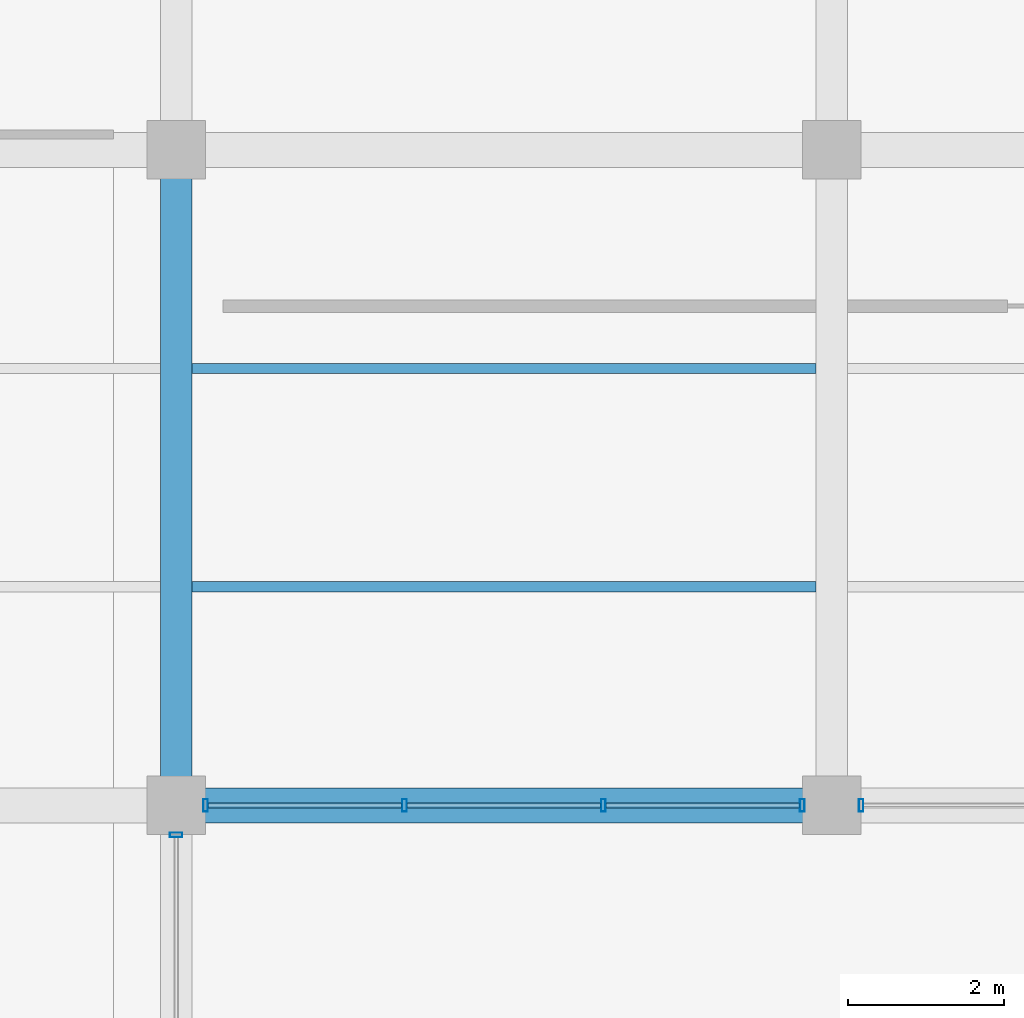
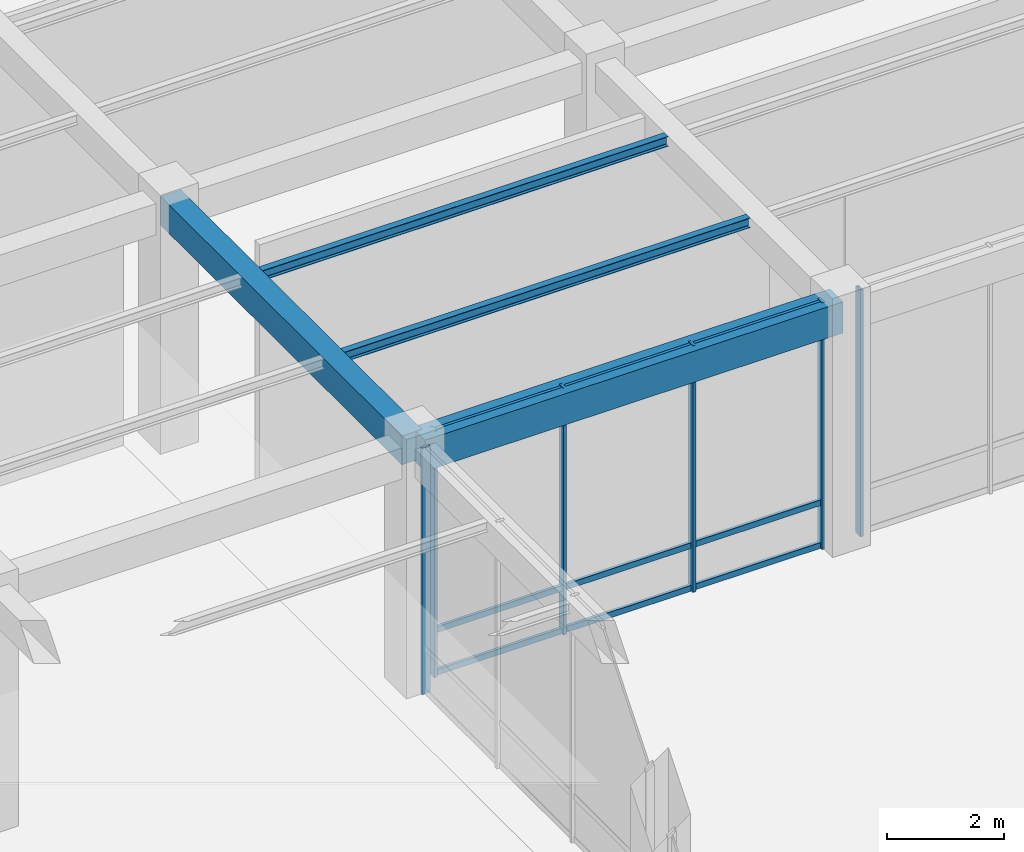
# One storey, part 12 of 157: 15 members, 4 beams, 3 elements without a shape of their own.
"""IFC4 building model written with IfcOpenShell, lengths in metres."""

from ifc_helpers import new_model, si_unit, direction, frame, origin, origin_2d, place, context, subcontext, project, spatial, rectangle, hollow_rectangle, i_section, extrude, material, material_profile, profile_set, type_object, element, aggregate, save


model = new_model("IFC4")

# Units and contexts
model_context = context("Model", 3, precision=1e-05, world=origin(), true_north=direction((0.0, 1.0)))
body_context = subcontext(model_context, "Body", "Model", "MODEL_VIEW")
ifc_project = project(units=[si_unit("LENGTHUNIT", "METRE"), si_unit("AREAUNIT", "SQUARE_METRE"), si_unit("VOLUMEUNIT", "CUBIC_METRE"), si_unit("PLANEANGLEUNIT", "RADIAN"), si_unit("MASSUNIT", "GRAM", prefix="KILO"), si_unit("THERMODYNAMICTEMPERATUREUNIT", "KELVIN"), si_unit("POWERUNIT", "WATT")], contexts=[model_context])

# Site, building, storey
site_placement = place(None, origin())
site = spatial("IfcSite", under=ifc_project, at=site_placement, CompositionType="ELEMENT")
building_placement = place(site_placement, origin())
building = spatial("IfcBuilding", under=site, at=building_placement, Name="Darbajah Civic Hall", CompositionType="ELEMENT")
storey_placement = place(building_placement, origin())
storey = spatial("IfcBuildingStorey", under=building, at=storey_placement, Name="L00", CompositionType="ELEMENT", Elevation=0.0)

# Curtain wall, member
ifc_material_1 = material(Name="Anodised Bronze Aluminium and Low-E Glazing", Category="aluminium")
curtain_wall_type = type_object("IfcCurtainWallType", Name="Unitised Curtain Wall CW-98 7600x5150", PredefinedType="USERDEFINED", material=ifc_material_1)
curtain_wall_1_placement = place(storey_placement, origin())
curtain_wall_1 = element("IfcCurtainWall", 1, at=curtain_wall_1_placement, inside=storey, type_object=curtain_wall_type, Name="L00 unitised curtain wall CW-V5-L00-S1-B1", ObjectType="UNITISED CURTAIN WALL", PredefinedType="USERDEFINED")
ifc_material_2 = material(Name="Anodised Bronze Aluminium", Category="aluminium")
ifc_material_profile_1 = material_profile(ifc_material_2, hollow_rectangle(XDim=0.06005859375, YDim=0.159912109375, WallThickness=0.00341796875, at=origin_2d()), Name="ALU MULLION 60x160")
ifc_profile_set_1 = profile_set([ifc_material_profile_1], Name="Anodised Bronze Aluminium")
member_type_1 = type_object("IfcMemberType", Name="ALU MULLION 60x160", PredefinedType="MULLION", material=ifc_profile_set_1)
member_1_placement = place(storey_placement, frame((16.800048828125, 16.423095703125, 0.0), z_axis=(0.0, 0.0, 1.0), x_axis=(0.0, 1.0, 0.0)))
member_1 = element("IfcMember", 2, at=member_1_placement, type_object=member_type_1, Name="CW-V5-L00-S1-B1 mullion 4", PredefinedType="MULLION", context=body_context, shape_type="SweptSolid", body=[
    extrude(hollow_rectangle(XDim=0.06005859375, YDim=0.159912109375, WallThickness=0.00341796875, at=origin_2d()), origin(), (0.0, 0.0, 1.0), 5.139892578125),
])
aggregate(curtain_wall_1, [member_1])

# Curtain wall, members
curtain_wall_2_placement = place(storey_placement, origin())
curtain_wall_2 = element("IfcCurtainWall", 3, at=curtain_wall_2_placement, inside=storey, type_object=curtain_wall_type, Name="L00 unitised curtain wall CW-V5-L00-S2-B0", ObjectType="UNITISED CURTAIN WALL", PredefinedType="USERDEFINED")
member_2_placement = place(storey_placement, frame((17.177001953125, 16.800048828125, 0.0), z_axis=(0.0, 0.0, 1.0), x_axis=(1.0, 0.0, 0.0)))
member_2 = element("IfcMember", 4, at=member_2_placement, type_object=member_type_1, Name="CW-V5-L00-S2-B0 mullion 1", PredefinedType="MULLION", context=body_context, shape_type="SweptSolid", body=[
    extrude(hollow_rectangle(XDim=0.06005859375, YDim=0.159912109375, WallThickness=0.00341796875, at=origin_2d()), origin(), (0.0, 0.0, 1.0), 5.139892578125),
])
member_3_placement = place(storey_placement, frame((19.7255859375, 16.800048828125, 0.0), z_axis=(0.0, 0.0, 1.0), x_axis=(1.0, 0.0, 0.0)))
member_3 = element("IfcMember", 5, at=member_3_placement, type_object=member_type_1, Name="CW-V5-L00-S2-B0 mullion 2", PredefinedType="MULLION", context=body_context, shape_type="SweptSolid", body=[
    extrude(hollow_rectangle(XDim=0.06005859375, YDim=0.159912109375, WallThickness=0.00341796875, at=origin_2d()), origin(), (0.0, 0.0, 1.0), 5.139892578125),
])
member_4_placement = place(storey_placement, frame((22.2744140625, 16.800048828125, 0.0), z_axis=(0.0, 0.0, 1.0), x_axis=(1.0, 0.0, 0.0)))
member_4 = element("IfcMember", 6, at=member_4_placement, type_object=member_type_1, Name="CW-V5-L00-S2-B0 mullion 3", PredefinedType="MULLION", context=body_context, shape_type="SweptSolid", body=[
    extrude(hollow_rectangle(XDim=0.06005859375, YDim=0.159912109375, WallThickness=0.00341796875, at=origin_2d()), origin(), (0.0, 0.0, 1.0), 5.139892578125),
])
member_5_placement = place(storey_placement, frame((24.822998046875, 16.800048828125, 0.0), z_axis=(0.0, 0.0, 1.0), x_axis=(1.0, 0.0, 0.0)))
member_5 = element("IfcMember", 7, at=member_5_placement, type_object=member_type_1, Name="CW-V5-L00-S2-B0 mullion 4", PredefinedType="MULLION", context=body_context, shape_type="SweptSolid", body=[
    extrude(hollow_rectangle(XDim=0.06005859375, YDim=0.159912109375, WallThickness=0.00341796875, at=origin_2d()), origin(), (0.0, 0.0, 1.0), 5.139892578125),
])

# Curtain wall, member
curtain_wall_3_placement = place(storey_placement, origin())
curtain_wall_3 = element("IfcCurtainWall", 8, at=curtain_wall_3_placement, inside=storey, type_object=curtain_wall_type, Name="L00 unitised curtain wall CW-V5-L00-S2-B1", ObjectType="UNITISED CURTAIN WALL", PredefinedType="USERDEFINED")
member_6_placement = place(storey_placement, frame((25.576904296875, 16.800048828125, 0.0), z_axis=(0.0, 0.0, 1.0), x_axis=(1.0, 0.0, 0.0)))
member_6 = element("IfcMember", 9, at=member_6_placement, type_object=member_type_1, Name="CW-V5-L00-S2-B1 mullion 1", PredefinedType="MULLION", context=body_context, shape_type="SweptSolid", body=[
    extrude(hollow_rectangle(XDim=0.06005859375, YDim=0.159912109375, WallThickness=0.00341796875, at=origin_2d()), origin(), (0.0, 0.0, 1.0), 5.139892578125),
])
aggregate(curtain_wall_3, [member_6])

# Member
ifc_material_profile_2 = material_profile(ifc_material_2, hollow_rectangle(XDim=0.06005859375, YDim=0.1201171875, WallThickness=0.003173828125, at=origin_2d()), Name="ALU TRANSOM 60x120")
ifc_profile_set_2 = profile_set([ifc_material_profile_2], Name="Anodised Bronze Aluminium")
member_type_2 = type_object("IfcMemberType", Name="ALU TRANSOM 60x120", PredefinedType="USERDEFINED", material=ifc_profile_set_2)
member_7_placement = place(storey_placement, frame((17.2119140625, 16.800048828125, 0.06005859375), z_axis=(1.0, 0.0, 0.0), x_axis=(0.0, 1.0, 0.0)))
member_7 = element("IfcMember", 10, at=member_7_placement, type_object=member_type_2, Name="CW-V5-L00-S2-B0 transom 1.1", ObjectType="TRANSOM", PredefinedType="USERDEFINED", context=body_context, shape_type="SweptSolid", body=[
    extrude(hollow_rectangle(XDim=0.06005859375, YDim=0.1201171875, WallThickness=0.003173828125, at=origin_2d()), origin(), (0.0, 0.0, 1.0), 2.478759765625),
])

member_8_placement = place(storey_placement, frame((17.2119140625, 16.800048828125, 0.949951171875), z_axis=(1.0, 0.0, 0.0), x_axis=(0.0, 1.0, 0.0)))
member_8 = element("IfcMember", 11, at=member_8_placement, type_object=member_type_2, Name="CW-V5-L00-S2-B0 transom 1.2", ObjectType="TRANSOM", PredefinedType="USERDEFINED", context=body_context, shape_type="SweptSolid", body=[
    extrude(hollow_rectangle(XDim=0.06005859375, YDim=0.1201171875, WallThickness=0.003173828125, at=origin_2d()), origin(), (0.0, 0.0, 1.0), 2.478759765625),
])

member_9_placement = place(storey_placement, frame((17.2119140625, 16.800048828125, 5.080078125), z_axis=(1.0, 0.0, 0.0), x_axis=(0.0, 1.0, 0.0)))
member_9 = element("IfcMember", 12, at=member_9_placement, type_object=member_type_2, Name="CW-V5-L00-S2-B0 transom 1.3", ObjectType="TRANSOM", PredefinedType="USERDEFINED", context=body_context, shape_type="SweptSolid", body=[
    extrude(hollow_rectangle(XDim=0.06005859375, YDim=0.1201171875, WallThickness=0.003173828125, at=origin_2d()), origin(), (0.0, 0.0, 1.0), 2.478759765625),
])

member_10_placement = place(storey_placement, frame((19.7607421875, 16.800048828125, 0.06005859375), z_axis=(1.0, 0.0, 0.0), x_axis=(0.0, 1.0, 0.0)))
member_10 = element("IfcMember", 13, at=member_10_placement, type_object=member_type_2, Name="CW-V5-L00-S2-B0 transom 2.1", ObjectType="TRANSOM", PredefinedType="USERDEFINED", context=body_context, shape_type="SweptSolid", body=[
    extrude(hollow_rectangle(XDim=0.06005859375, YDim=0.1201171875, WallThickness=0.003173828125, at=origin_2d()), origin(), (0.0, 0.0, 1.0), 2.478515625),
])

member_11_placement = place(storey_placement, frame((19.7607421875, 16.800048828125, 0.949951171875), z_axis=(1.0, 0.0, 0.0), x_axis=(0.0, 1.0, 0.0)))
member_11 = element("IfcMember", 14, at=member_11_placement, type_object=member_type_2, Name="CW-V5-L00-S2-B0 transom 2.2", ObjectType="TRANSOM", PredefinedType="USERDEFINED", context=body_context, shape_type="SweptSolid", body=[
    extrude(hollow_rectangle(XDim=0.06005859375, YDim=0.1201171875, WallThickness=0.003173828125, at=origin_2d()), origin(), (0.0, 0.0, 1.0), 2.478515625),
])

member_12_placement = place(storey_placement, frame((19.7607421875, 16.800048828125, 5.080078125), z_axis=(1.0, 0.0, 0.0), x_axis=(0.0, 1.0, 0.0)))
member_12 = element("IfcMember", 15, at=member_12_placement, type_object=member_type_2, Name="CW-V5-L00-S2-B0 transom 2.3", ObjectType="TRANSOM", PredefinedType="USERDEFINED", context=body_context, shape_type="SweptSolid", body=[
    extrude(hollow_rectangle(XDim=0.06005859375, YDim=0.1201171875, WallThickness=0.003173828125, at=origin_2d()), origin(), (0.0, 0.0, 1.0), 2.478515625),
])

member_13_placement = place(storey_placement, frame((22.309326171875, 16.800048828125, 0.06005859375), z_axis=(1.0, 0.0, 0.0), x_axis=(0.0, 1.0, 0.0)))
member_13 = element("IfcMember", 16, at=member_13_placement, type_object=member_type_2, Name="CW-V5-L00-S2-B0 transom 3.1", ObjectType="TRANSOM", PredefinedType="USERDEFINED", context=body_context, shape_type="SweptSolid", body=[
    extrude(hollow_rectangle(XDim=0.06005859375, YDim=0.1201171875, WallThickness=0.003173828125, at=origin_2d()), origin(), (0.0, 0.0, 1.0), 2.478759765625),
])

member_14_placement = place(storey_placement, frame((22.309326171875, 16.800048828125, 0.949951171875), z_axis=(1.0, 0.0, 0.0), x_axis=(0.0, 1.0, 0.0)))
member_14 = element("IfcMember", 17, at=member_14_placement, type_object=member_type_2, Name="CW-V5-L00-S2-B0 transom 3.2", ObjectType="TRANSOM", PredefinedType="USERDEFINED", context=body_context, shape_type="SweptSolid", body=[
    extrude(hollow_rectangle(XDim=0.06005859375, YDim=0.1201171875, WallThickness=0.003173828125, at=origin_2d()), origin(), (0.0, 0.0, 1.0), 2.478759765625),
])

member_15_placement = place(storey_placement, frame((22.309326171875, 16.800048828125, 5.080078125), z_axis=(1.0, 0.0, 0.0), x_axis=(0.0, 1.0, 0.0)))
member_15 = element("IfcMember", 18, at=member_15_placement, type_object=member_type_2, Name="CW-V5-L00-S2-B0 transom 3.3", ObjectType="TRANSOM", PredefinedType="USERDEFINED", context=body_context, shape_type="SweptSolid", body=[
    extrude(hollow_rectangle(XDim=0.06005859375, YDim=0.1201171875, WallThickness=0.003173828125, at=origin_2d()), origin(), (0.0, 0.0, 1.0), 2.478759765625),
])

aggregate(curtain_wall_2, [member_2, member_3, member_4, member_5, member_7, member_8, member_9, member_10, member_11, member_12, member_13, member_14, member_15])

# Beams
ifc_material_3 = material(Name="Concrete C45/55", Category="concrete")
ifc_material_profile_3 = material_profile(ifc_material_3, rectangle(XDim=0.39990234375, YDim=0.60009765625, at=origin_2d()), Name="RC BEAM 400x600")
ifc_profile_set_3 = profile_set([ifc_material_profile_3], Name="Concrete C45/55")
beam_type_1 = type_object("IfcBeamType", Name="RC BEAM 400x600", PredefinedType="BEAM", material=ifc_profile_set_3)
beam_1_placement = place(storey_placement, frame((16.800048828125, 16.8798828125, 4.840087890625), z_axis=(0.0, 1.0, 0.0), x_axis=(-1.0, 0.0, 0.0)))
element("IfcBeam", 19, at=beam_1_placement, inside=storey, type_object=beam_type_1, Name="L00 beam BM-4060", PredefinedType="BEAM", context=body_context, shape_type="SweptSolid", body=[
    extrude(rectangle(XDim=0.39990234375, YDim=0.60009765625, at=origin_2d()), origin(), (0.0, 0.0, 1.0), 8.240234375),
])
ifc_material_profile_4 = material_profile(ifc_material_3, rectangle(XDim=0.449951171875, YDim=0.64990234375, at=origin_2d()), Name="RC BEAM 450x650")
ifc_profile_set_4 = profile_set([ifc_material_profile_4], Name="Concrete C45/55")
beam_type_2 = type_object("IfcBeamType", Name="RC BEAM 450x650", PredefinedType="BEAM", material=ifc_profile_set_4)
beam_2_placement = place(storey_placement, frame((16.8798828125, 16.800048828125, 4.81494140625), z_axis=(1.0, 0.0, 0.0), x_axis=(0.0, 1.0, 0.0)))
element("IfcBeam", 20, at=beam_2_placement, inside=storey, type_object=beam_type_2, Name="L00 beam BM-4565", PredefinedType="BEAM", context=body_context, shape_type="SweptSolid", body=[
    extrude(rectangle(XDim=0.449951171875, YDim=0.64990234375, at=origin_2d()), origin(), (0.0, 0.0, 1.0), 8.240234375),
])
ifc_material_4 = material(Name="Steel S355JR", Category="steel")
ifc_material_profile_5 = material_profile(ifc_material_4, i_section(OverallWidth=0.1337890625, OverallDepth=0.206787109375, WebThickness=0.00634765625, FlangeThickness=0.009521484375, FilletRadius=0.007568359375, at=origin_2d()), Name="UB 203x133x30")
ifc_profile_set_5 = profile_set([ifc_material_profile_5], Name="Steel S355JR")
beam_type_3 = type_object("IfcBeamType", Name="UB 203x133x30", PredefinedType="JOIST", material=ifc_profile_set_5)
for number, where, z_axis, x_axis, name in (
    (21, (17.0, 19.60009765625, 5.03662109375), (1.0, 0.0, 0.0), (0.0, 1.0, 0.0), "L00 beam SJ-203"),
    (22, (17.0, 22.39990234375, 5.03662109375), (1.0, 0.0, 0.0), (0.0, 1.0, 0.0), "L00 beam SJ-203"),
):
    element("IfcBeam", number, at=place(storey_placement, frame(where, z_axis=z_axis, x_axis=x_axis)), inside=storey, type_object=beam_type_3, Name=name, PredefinedType="JOIST", context=body_context, shape_type="SweptSolid", body=[
        extrude(i_section(OverallWidth=0.1337890625, OverallDepth=0.206787109375, WebThickness=0.00634765625, FlangeThickness=0.009521484375, FilletRadius=0.007568359375, at=origin_2d()), origin(), (0.0, 0.0, 1.0), 8.0),
    ])

save(model, "model.ifc")
